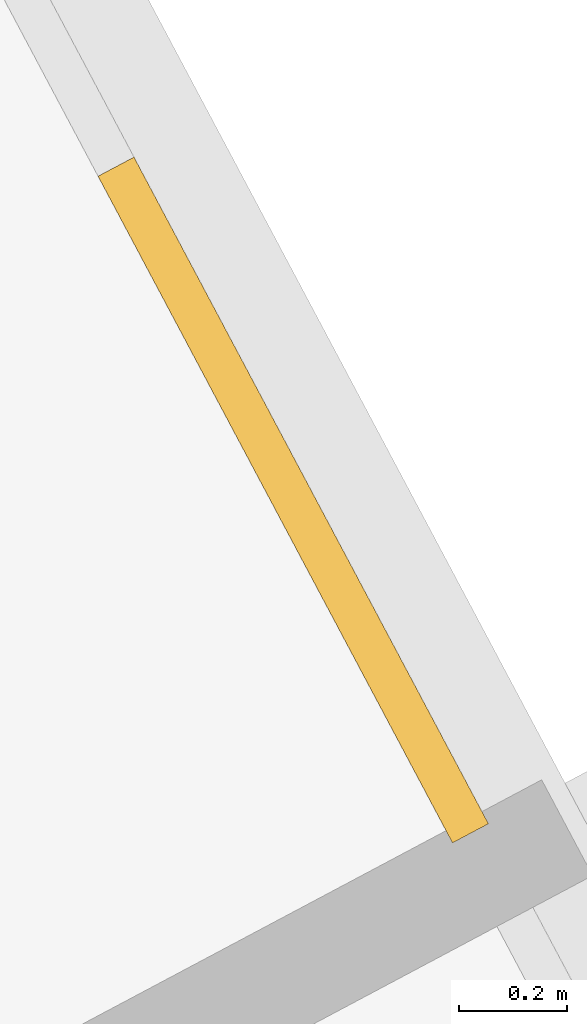
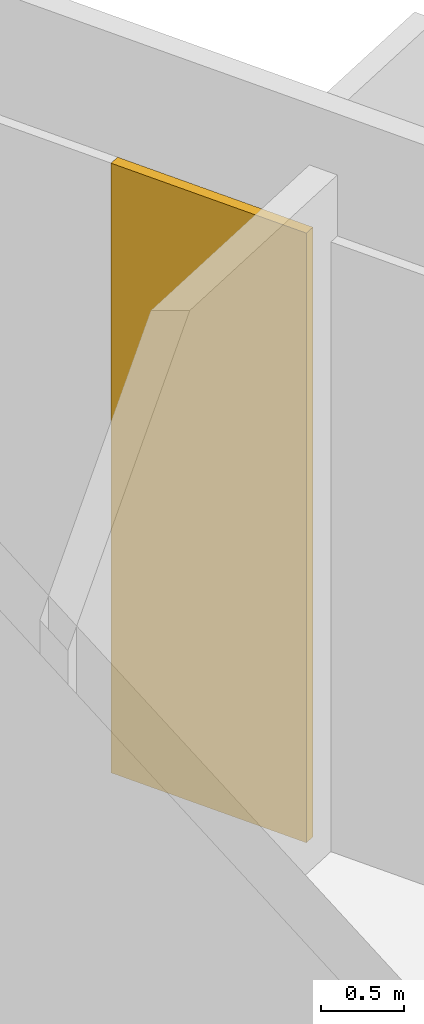
# One storey, part 32 of 32: 1 covering, 1 element without a shape of its own.
"""IFC4 building model written with IfcOpenShell, lengths in metres."""

from ifc_helpers import new_model, si_unit, direction, frame, origin, origin_2d, place, context, subcontext, project, spatial, rectangle, extrude, material, layer, layer_set, type_object, element, aggregate, save


model = new_model("IFC4")

# Units and contexts
model_context = context("Model", 3, precision=1e-05, world=origin(), true_north=direction((0.0, 1.0)))
body_context = subcontext(model_context, "Body", "Model", "MODEL_VIEW")
ifc_project = project(units=[si_unit("LENGTHUNIT", "METRE"), si_unit("AREAUNIT", "SQUARE_METRE"), si_unit("VOLUMEUNIT", "CUBIC_METRE"), si_unit("PLANEANGLEUNIT", "RADIAN"), si_unit("MASSUNIT", "GRAM", prefix="KILO")], contexts=[model_context])

# Site, building, storey
site_placement = place(None, origin())
site = spatial("IfcSite", under=ifc_project, at=site_placement, CompositionType="ELEMENT")
building_placement = place(site_placement, origin())
building = spatial("IfcBuilding", under=site, at=building_placement, Name="Cormorant Relay Tower", CompositionType="ELEMENT")
storey_placement = place(building_placement, frame((0.0, 0.0, 17.60009765625)))
storey = spatial("IfcBuildingStorey", under=building, at=storey_placement, Name="L03", CompositionType="ELEMENT", Elevation=17.60009765625)

# Curtain wall, covering
ifc_material_1 = material(Name="Aluminium 6063-T6 anodised bronze", Category="aluminium")
ifc_layer_1 = layer(ifc_material_1, 0.235107421875)
ifc_layer_set_1 = layer_set([ifc_layer_1], Name="CW6 data hall curtain wall with mineral wool panels")
curtain_wall_type = type_object("IfcCurtainWallType", Name="CW6 data hall curtain wall with mineral wool panels", PredefinedType="NOTDEFINED", material=ifc_layer_set_1)
curtain_wall_placement = place(storey_placement, origin())
curtain_wall = element("IfcCurtainWall", 1, at=curtain_wall_placement, inside=storey, type_object=curtain_wall_type, Name="CW6 curtain wall 4", PredefinedType="NOTDEFINED")
ifc_material_2 = material(Name="Mineral wool cored anodised bronze aluminium cassette panel", Category="aluminium")
ifc_layer_2 = layer(ifc_material_2, 0.074951171875)
ifc_layer_set_2 = layer_set([ifc_layer_2], Name="CW6 mineral wool cassette panel 75")
covering_type = type_object("IfcCoveringType", Name="CW6 mineral wool cassette panel 75", PredefinedType="CLADDING", material=ifc_layer_set_2)
covering_placement = place(storey_placement, frame((66.86474609375, 27.689453125, 0.0), z_axis=(0.0, 0.0, 1.0), x_axis=(-0.469471562786, 0.882947592859, 0.0)))
covering = element("IfcCovering", 2, at=covering_placement, type_object=covering_type, Name="CW6 panel S01", PredefinedType="CLADDING", context=body_context, shape_type="SweptSolid", body=[
    extrude(rectangle(XDim=1.392822265625, YDim=0.074951171875, at=origin_2d()), origin(), (0.0, 0.0, 1.0), 4.5),
])
aggregate(curtain_wall, [covering])

save(model, "model.ifc")
